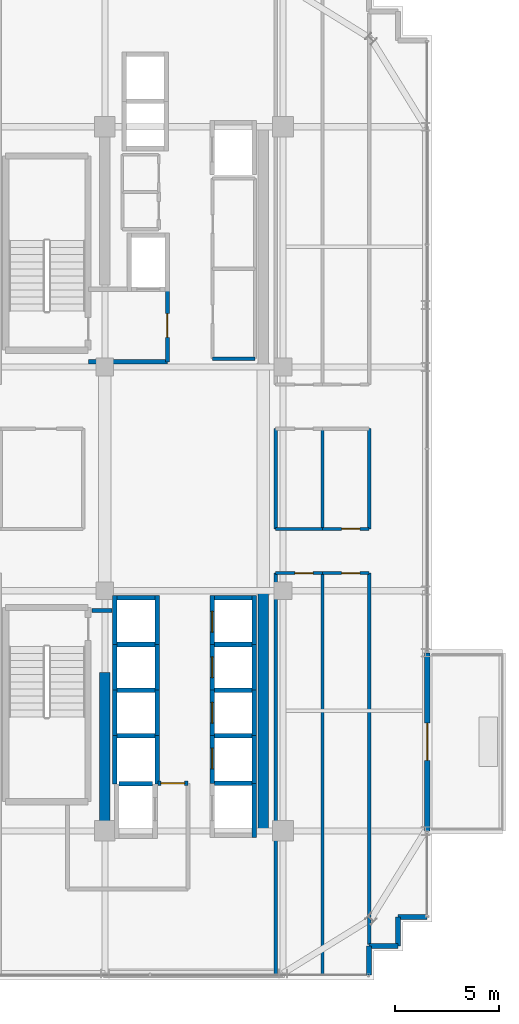
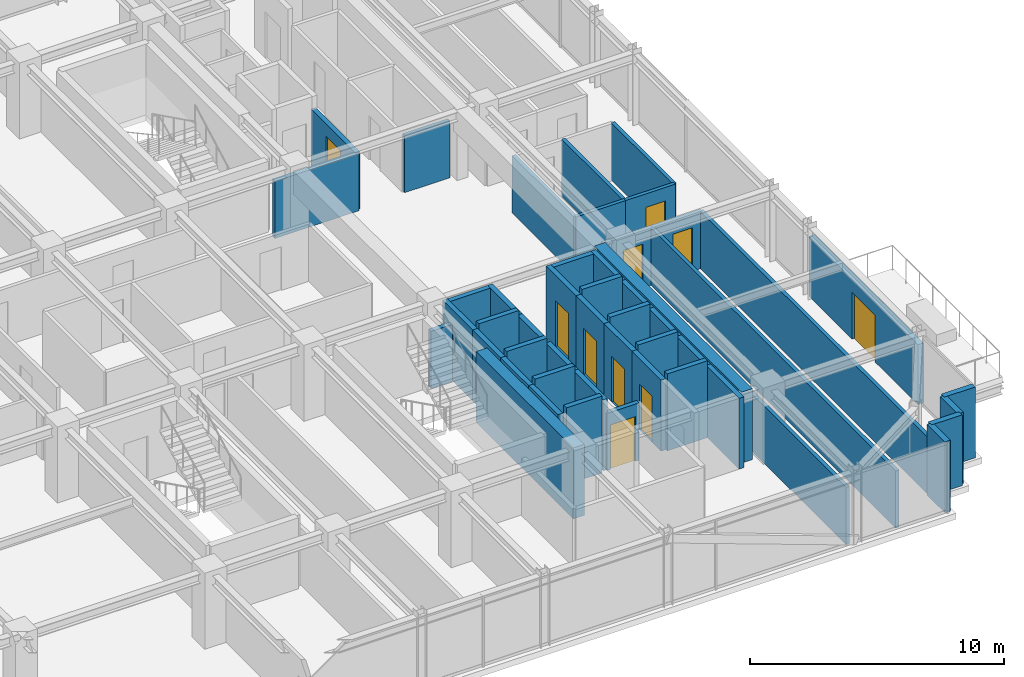
# One storey, part 31 of 36: 49 walls, 10 doors, 10 openings.
"""IFC4 building model written with IfcOpenShell, lengths in metres."""

from ifc_helpers import new_model, si_unit, direction, frame, frame_2d, origin, place, context, subcontext, project, spatial, rectangle, extrude, source, transform, mapped, material, layer, layer_set, type_object, element, fill, save


model = new_model("IFC4")

# Units and contexts
model_context = context("Model", 3, precision=1e-05, world=origin(), true_north=direction((0.0, 1.0)))
body_context = subcontext(model_context, "Body", "Model", "MODEL_VIEW")
ifc_project = project(units=[si_unit("LENGTHUNIT", "METRE"), si_unit("AREAUNIT", "SQUARE_METRE"), si_unit("VOLUMEUNIT", "CUBIC_METRE"), si_unit("PLANEANGLEUNIT", "RADIAN"), si_unit("MASSUNIT", "GRAM", prefix="KILO")], contexts=[model_context])

# Site, building, storey
site_placement = place(None, origin())
site = spatial("IfcSite", under=ifc_project, at=site_placement, CompositionType="ELEMENT")
building_placement = place(site_placement, origin())
building = spatial("IfcBuilding", under=site, at=building_placement, Name="Nahalor Promenade Grand Hotel", CompositionType="ELEMENT")
storey_placement = place(building_placement, frame((0.0, 0.0, 219.699951171875)))
storey = spatial("IfcBuildingStorey", under=building, at=storey_placement, Name="L56", CompositionType="ELEMENT", Elevation=219.699951171875)

# Walls
ifc_material_1 = material(Name="Concrete B-60 (C50/60)", Category="concrete")
ifc_layer_1 = layer(ifc_material_1, 0.5)
ifc_layer_set_1 = layer_set([ifc_layer_1], Name="Concrete B-60 (C50/60)")
wall_type_1 = type_object("IfcWallType", Name="Wall-CoreShear-500", PredefinedType="SHEAR", material=ifc_layer_set_1)
shared_shape_1 = source(origin(), body_context, "Body", "SweptSolid", [
    extrude(rectangle(XDim=7.64990234375, YDim=0.5, at=frame_2d((3.824951171875, 0.0))), origin(), (0.0, 0.0, 1.0), 3.41015625),
])
wall_1_placement = place(storey_placement, frame((8.39990234375, -17.0, 0.0), z_axis=(0.0, 0.0, 1.0), x_axis=(0.0, 1.0, 0.0)))
element("IfcWall", 1, at=wall_1_placement, inside=storey, type_object=wall_type_1, Name="CWALL-L56-SW", PredefinedType="SHEAR", context=body_context, shape_type="MappedRepresentation", body=[
    mapped(shared_shape_1, transform((0.0, 0.0, 0.0), scale=1.0)),
])
shared_shape_2 = source(origin(), body_context, "Body", "SweptSolid", [
    extrude(rectangle(XDim=11.60009765625, YDim=0.5, at=frame_2d((5.800048828125, 0.0))), origin(), (0.0, 0.0, 1.0), 3.41015625),
])
wall_2_placement = place(storey_placement, frame((16.050048828125, -17.0, 0.0), z_axis=(0.0, 0.0, 1.0), x_axis=(0.0, 1.0, 0.0)))
element("IfcWall", 2, at=wall_2_placement, inside=storey, type_object=wall_type_1, Name="CWALL-L56-SE", PredefinedType="SHEAR", context=body_context, shape_type="MappedRepresentation", body=[
    mapped(shared_shape_2, transform((0.0, 0.0, 0.0), scale=1.0)),
])

# Wall, opening, door
ifc_material_2 = material(Name="Concrete B-50 (C40/50)", Category="concrete")
ifc_layer_2 = layer(ifc_material_2, 0.219970703125)
ifc_layer_set_2 = layer_set([ifc_layer_2], Name="Concrete B-50 (C40/50)")
wall_type_2 = type_object("IfcWallType", Name="Wall-LiftShaft-220", PredefinedType="SHEAR", material=ifc_layer_set_2)
shared_shape_3 = source(origin(), body_context, "Body", "SweptSolid", [
    extrude(rectangle(XDim=2.360107421875, YDim=0.219970703125, at=frame_2d((1.18017578125, 0.0))), origin(), (0.0, 0.0, 1.0), 3.41015625),
])
wall_3_placement = place(storey_placement, frame((13.580078125, -8.0, 0.0), z_axis=(0.0, 0.0, 1.0), x_axis=(0.0, 1.0, 0.0)))
wall_3 = element("IfcWall", 3, at=wall_3_placement, inside=storey, type_object=wall_type_2, Name="L56 Lift PL5 Hoistway Wall W", PredefinedType="SHEAR", context=body_context, shape_type="MappedRepresentation", body=[
    mapped(shared_shape_3, transform((0.0, 0.0, 0.0), scale=1.0)),
])
opening_1_placement = place(wall_3_placement, frame((0.60009765625, 0.0, 0.0)))
opening_1 = element("IfcOpeningElement", 4, at=opening_1_placement, cuts=wall_3, Name="Opening LD-01", PredefinedType="OPENING", context=body_context, shape_type="SweptSolid", body=[
    extrude(rectangle(XDim=1.0, YDim=2.199951171875, at=frame_2d((0.5, 1.10009765625))), frame((0.0, 0.119873046875, 0.0), z_axis=(0.0, -1.0, 0.0), x_axis=(1.0, 0.0, 0.0)), (0.0, 0.0, 1.0), 0.239990234375),
])
ifc_material_3 = material(Name="Steel S355JR", Category="steel")
door_type_1 = type_object("IfcDoorType", Name="Door-LiftLanding-1000", OperationType="DOUBLE_DOOR_SLIDING", PredefinedType="DOOR", material=ifc_material_3)
shared_shape_4 = source(origin(), body_context, "Body", "SweptSolid", [
    extrude(rectangle(XDim=1.0, YDim=2.199951171875, at=frame_2d((0.5, 1.10009765625))), frame((0.0, 0.02490234375, 0.0), z_axis=(0.0, -1.0, 0.0), x_axis=(1.0, 0.0, 0.0)), (0.0, 0.0, 1.0), 0.050048828125),
])
door_1_placement = place(opening_1_placement, origin())
door_1 = element("IfcDoor", 5, at=door_1_placement, inside=storey, type_object=door_type_1, Name="DR-LIFT-PL5-L56", OperationType="DOUBLE_DOOR_SLIDING", OverallHeight=2.199951171875, OverallWidth=1.0, PredefinedType="DOOR", context=body_context, shape_type="MappedRepresentation", body=[
    mapped(shared_shape_4, transform((0.0, 0.0, 0.0), scale=1.0)),
])
fill(opening_1, door_1)

# Walls
for number, where, z_axis, x_axis, name in (
    (6, (15.6201171875, -8.0, 0.0), (0.0, 0.0, 1.0), (0.0, 1.0, 0.0), "L56 Lift PL5 Hoistway Wall E"),
    (7, (8.8798828125, -8.0, 0.0), (0.0, 0.0, 1.0), (0.0, 1.0, 0.0), "L56 Lift PL9 Hoistway Wall W"),
    (8, (10.919921875, -8.0, 0.0), (0.0, 0.0, 1.0), (0.0, 1.0, 0.0), "L56 Lift PL9 Hoistway Wall E"),
):
    element("IfcWall", number, at=place(storey_placement, frame(where, z_axis=z_axis, x_axis=x_axis)), inside=storey, type_object=wall_type_2, Name=name, PredefinedType="SHEAR", context=body_context, shape_type="MappedRepresentation", body=[
        mapped(shared_shape_3, transform((0.0, 0.0, 0.0), scale=1.0)),
    ])
shared_shape_5 = source(origin(), body_context, "Body", "SweptSolid", [
    extrude(rectangle(XDim=1.820068359375, YDim=0.219970703125, at=frame_2d((0.91015625, 0.0))), origin(), (0.0, 0.0, 1.0), 3.41015625),
])
for number, where, z_axis, x_axis, name in (
    (9, (13.68994140625, -5.75, 0.0), (0.0, 0.0, 1.0), (1.0, 0.0, 0.0), "L56 Lift PL5 Hoistway Wall N"),
    (10, (8.989990234375, -5.75, 0.0), (0.0, 0.0, 1.0), (1.0, 0.0, 0.0), "L56 Lift PL9 Hoistway Wall N"),
):
    element("IfcWall", number, at=place(storey_placement, frame(where, z_axis=z_axis, x_axis=x_axis)), inside=storey, type_object=wall_type_2, Name=name, PredefinedType="SHEAR", context=body_context, shape_type="MappedRepresentation", body=[
        mapped(shared_shape_5, transform((0.0, 0.0, 0.0), scale=1.0)),
    ])

# Wall, opening, door
shared_shape_6 = source(origin(), body_context, "Body", "SweptSolid", [
    extrude(rectangle(XDim=2.199951171875, YDim=0.219970703125, at=frame_2d((1.10009765625, 0.0))), origin(), (0.0, 0.0, 1.0), 3.41015625),
])
wall_4_placement = place(storey_placement, frame((13.580078125, -10.199951171875, 0.0), z_axis=(0.0, 0.0, 1.0), x_axis=(0.0, 1.0, 0.0)))
wall_4 = element("IfcWall", 11, at=wall_4_placement, inside=storey, type_object=wall_type_2, Name="L56 Lift PL6 Hoistway Wall W", PredefinedType="SHEAR", context=body_context, shape_type="MappedRepresentation", body=[
    mapped(shared_shape_6, transform((0.0, 0.0, 0.0), scale=1.0)),
])
opening_2_placement = place(wall_4_placement, frame((0.60009765625, 0.0, 0.0)))
opening_2 = element("IfcOpeningElement", 12, at=opening_2_placement, cuts=wall_4, Name="Opening LD-01", PredefinedType="OPENING", context=body_context, shape_type="SweptSolid", body=[
    extrude(rectangle(XDim=1.0, YDim=2.199951171875, at=frame_2d((0.5, 1.10009765625))), frame((0.0, 0.119873046875, 0.0), z_axis=(0.0, -1.0, 0.0), x_axis=(1.0, 0.0, 0.0)), (0.0, 0.0, 1.0), 0.239990234375),
])
door_2_placement = place(opening_2_placement, origin())
door_2 = element("IfcDoor", 13, at=door_2_placement, inside=storey, type_object=door_type_1, Name="DR-LIFT-PL6-L56", OperationType="DOUBLE_DOOR_SLIDING", OverallHeight=2.199951171875, OverallWidth=1.0, PredefinedType="DOOR", context=body_context, shape_type="MappedRepresentation", body=[
    mapped(shared_shape_4, transform((0.0, 0.0, 0.0), scale=1.0)),
])
fill(opening_2, door_2)

# Wall
wall_5_placement = place(storey_placement, frame((15.6201171875, -10.199951171875, 0.0), z_axis=(0.0, 0.0, 1.0), x_axis=(0.0, 1.0, 0.0)))
element("IfcWall", 14, at=wall_5_placement, inside=storey, type_object=wall_type_2, Name="L56 Lift PL6 Hoistway Wall E", PredefinedType="SHEAR", context=body_context, shape_type="MappedRepresentation", body=[
    mapped(shared_shape_6, transform((0.0, 0.0, 0.0), scale=1.0)),
])

# Wall, opening, door
wall_6_placement = place(storey_placement, frame((13.580078125, -12.39990234375, 0.0), z_axis=(0.0, 0.0, 1.0), x_axis=(0.0, 1.0, 0.0)))
wall_6 = element("IfcWall", 15, at=wall_6_placement, inside=storey, type_object=wall_type_2, Name="L56 Lift PL7 Hoistway Wall W", PredefinedType="SHEAR", context=body_context, shape_type="MappedRepresentation", body=[
    mapped(shared_shape_6, transform((0.0, 0.0, 0.0), scale=1.0)),
])
opening_3_placement = place(wall_6_placement, frame((0.60009765625, 0.0, 0.0)))
opening_3 = element("IfcOpeningElement", 16, at=opening_3_placement, cuts=wall_6, Name="Opening LD-01", PredefinedType="OPENING", context=body_context, shape_type="SweptSolid", body=[
    extrude(rectangle(XDim=1.0, YDim=2.199951171875, at=frame_2d((0.5, 1.10009765625))), frame((0.0, 0.119873046875, 0.0), z_axis=(0.0, -1.0, 0.0), x_axis=(1.0, 0.0, 0.0)), (0.0, 0.0, 1.0), 0.239990234375),
])
door_3_placement = place(opening_3_placement, origin())
door_3 = element("IfcDoor", 17, at=door_3_placement, inside=storey, type_object=door_type_1, Name="DR-LIFT-PL7-L56", OperationType="DOUBLE_DOOR_SLIDING", OverallHeight=2.199951171875, OverallWidth=1.0, PredefinedType="DOOR", context=body_context, shape_type="MappedRepresentation", body=[
    mapped(shared_shape_4, transform((0.0, 0.0, 0.0), scale=1.0)),
])
fill(opening_3, door_3)

# Walls
for number, where, z_axis, x_axis, name in (
    (18, (15.6201171875, -12.39990234375, 0.0), (0.0, 0.0, 1.0), (0.0, 1.0, 0.0), "L56 Lift PL7 Hoistway Wall E"),
    (19, (8.8798828125, -10.199951171875, 0.0), (0.0, 0.0, 1.0), (0.0, 1.0, 0.0), "L56 Lift PL10 Hoistway Wall W"),
    (20, (10.919921875, -10.199951171875, 0.0), (0.0, 0.0, 1.0), (0.0, 1.0, 0.0), "L56 Lift PL10 Hoistway Wall E"),
    (21, (8.8798828125, -12.39990234375, 0.0), (0.0, 0.0, 1.0), (0.0, 1.0, 0.0), "L56 Lift PL11 Hoistway Wall W"),
    (22, (10.919921875, -12.39990234375, 0.0), (0.0, 0.0, 1.0), (0.0, 1.0, 0.0), "L56 Lift PL11 Hoistway Wall E"),
):
    element("IfcWall", number, at=place(storey_placement, frame(where, z_axis=z_axis, x_axis=x_axis)), inside=storey, type_object=wall_type_2, Name=name, PredefinedType="SHEAR", context=body_context, shape_type="MappedRepresentation", body=[
        mapped(shared_shape_6, transform((0.0, 0.0, 0.0), scale=1.0)),
    ])
shared_shape_7 = source(origin(), body_context, "Body", "SweptSolid", [
    extrude(rectangle(XDim=1.820068359375, YDim=0.219970703125, at=frame_2d((0.91015625, 0.0))), origin(), (0.0, 0.0, 1.0), 3.699951171875),
])
for number, where, z_axis, x_axis, name in (
    (23, (13.68994140625, -8.0, 0.0), (0.0, 0.0, 1.0), (1.0, 0.0, 0.0), "L56 Lift PL6 Hoistway Wall N"),
    (24, (13.68994140625, -10.199951171875, 0.0), (0.0, 0.0, 1.0), (1.0, 0.0, 0.0), "L56 Lift PL7 Hoistway Wall N"),
    (25, (13.68994140625, -12.39990234375, 0.0), (0.0, 0.0, 1.0), (1.0, 0.0, 0.0), "L56 Lift PL8 Hoistway Wall N"),
    (26, (8.989990234375, -8.0, 0.0), (0.0, 0.0, 1.0), (1.0, 0.0, 0.0), "L56 Lift PL10 Hoistway Wall N"),
    (27, (8.989990234375, -10.199951171875, 0.0), (0.0, 0.0, 1.0), (1.0, 0.0, 0.0), "L56 Lift PL11 Hoistway Wall N"),
    (28, (8.989990234375, -12.39990234375, 0.0), (0.0, 0.0, 1.0), (1.0, 0.0, 0.0), "L56 Lift PL12 Hoistway Wall N"),
    (29, (13.68994140625, -14.699951171875, 0.0), (0.0, 0.0, 1.0), (1.0, 0.0, 0.0), "L56 Lift SV2 Hoistway Wall N"),
):
    element("IfcWall", number, at=place(storey_placement, frame(where, z_axis=z_axis, x_axis=x_axis)), inside=storey, type_object=wall_type_2, Name=name, PredefinedType="SHEAR", context=body_context, shape_type="MappedRepresentation", body=[
        mapped(shared_shape_7, transform((0.0, 0.0, 0.0), scale=1.0)),
    ])

# Wall, opening, door
shared_shape_8 = source(origin(), body_context, "Body", "SweptSolid", [
    extrude(rectangle(XDim=2.300048828125, YDim=0.219970703125, at=frame_2d((1.14990234375, 0.0))), origin(), (0.0, 0.0, 1.0), 3.41015625),
])
wall_7_placement = place(storey_placement, frame((13.580078125, -14.699951171875, 0.0), z_axis=(0.0, 0.0, 1.0), x_axis=(0.0, 1.0, 0.0)))
wall_7 = element("IfcWall", 30, at=wall_7_placement, inside=storey, type_object=wall_type_2, Name="L56 Lift PL8 Hoistway Wall W", PredefinedType="SHEAR", context=body_context, shape_type="MappedRepresentation", body=[
    mapped(shared_shape_8, transform((0.0, 0.0, 0.0), scale=1.0)),
])
opening_4_placement = place(wall_7_placement, frame((0.699951171875, 0.0, 0.0)))
opening_4 = element("IfcOpeningElement", 31, at=opening_4_placement, cuts=wall_7, Name="Opening LD-01", PredefinedType="OPENING", context=body_context, shape_type="SweptSolid", body=[
    extrude(rectangle(XDim=1.0, YDim=2.199951171875, at=frame_2d((0.5, 1.10009765625))), frame((0.0, 0.119873046875, 0.0), z_axis=(0.0, -1.0, 0.0), x_axis=(1.0, 0.0, 0.0)), (0.0, 0.0, 1.0), 0.239990234375),
])
door_4_placement = place(opening_4_placement, origin())
door_4 = element("IfcDoor", 32, at=door_4_placement, inside=storey, type_object=door_type_1, Name="DR-LIFT-PL8-L56", OperationType="DOUBLE_DOOR_SLIDING", OverallHeight=2.199951171875, OverallWidth=1.0, PredefinedType="DOOR", context=body_context, shape_type="MappedRepresentation", body=[
    mapped(shared_shape_4, transform((0.0, 0.0, 0.0), scale=1.0)),
])
fill(opening_4, door_4)

# Walls
wall_8_placement = place(storey_placement, frame((15.6201171875, -14.699951171875, 0.0), z_axis=(0.0, 0.0, 1.0), x_axis=(0.0, 1.0, 0.0)))
element("IfcWall", 33, at=wall_8_placement, inside=storey, type_object=wall_type_2, Name="L56 Lift PL8 Hoistway Wall E", PredefinedType="SHEAR", context=body_context, shape_type="MappedRepresentation", body=[
    mapped(shared_shape_8, transform((0.0, 0.0, 0.0), scale=1.0)),
])
shared_shape_9 = source(origin(), body_context, "Body", "SweptSolid", [
    extrude(rectangle(XDim=2.3251953125, YDim=0.219970703125, at=frame_2d((1.16259765625, 0.0))), origin(), (0.0, 0.0, 1.0), 3.41015625),
])
for number, where, z_axis, x_axis, name in (
    (34, (8.8798828125, -14.72509765625, 0.0), (0.0, 0.0, 1.0), (0.0, 1.0, 0.0), "L56 Lift PL12 Hoistway Wall W"),
    (35, (10.919921875, -14.72509765625, 0.0), (0.0, 0.0, 1.0), (0.0, 1.0, 0.0), "L56 Lift PL12 Hoistway Wall E"),
):
    element("IfcWall", number, at=place(storey_placement, frame(where, z_axis=z_axis, x_axis=x_axis)), inside=storey, type_object=wall_type_2, Name=name, PredefinedType="SHEAR", context=body_context, shape_type="MappedRepresentation", body=[
        mapped(shared_shape_9, transform((0.0, 0.0, 0.0), scale=1.0)),
    ])
shared_shape_10 = source(origin(), body_context, "Body", "SweptSolid", [
    extrude(rectangle(XDim=1.619873046875, YDim=0.219970703125, at=frame_2d((0.81005859375, 0.0))), origin(), (0.0, 0.0, 1.0), 3.699951171875),
])
wall_9_placement = place(storey_placement, frame((9.090087890625, -14.72509765625, 0.0), z_axis=(0.0, 0.0, 1.0), x_axis=(1.0, 0.0, 0.0)))
element("IfcWall", 36, at=wall_9_placement, inside=storey, type_object=wall_type_2, Name="L56 Lift FL2 Hoistway Wall N", PredefinedType="SHEAR", context=body_context, shape_type="MappedRepresentation", body=[
    mapped(shared_shape_10, transform((0.0, 0.0, 0.0), scale=1.0)),
])
shared_shape_11 = source(origin(), body_context, "Body", "SweptSolid", [
    extrude(rectangle(XDim=2.610107421875, YDim=0.219970703125, at=frame_2d((1.30517578125, 0.0))), origin(), (0.0, 0.0, 1.0), 3.41015625),
])
wall_10_placement = place(storey_placement, frame((15.6201171875, -17.31005859375, 0.0), z_axis=(0.0, 0.0, 1.0), x_axis=(0.0, 1.0, 0.0)))
element("IfcWall", 37, at=wall_10_placement, inside=storey, type_object=wall_type_2, Name="L56 Lift SV2 Hoistway Wall E", PredefinedType="SHEAR", context=body_context, shape_type="MappedRepresentation", body=[
    mapped(shared_shape_11, transform((0.0, 0.0, 0.0), scale=1.0)),
])
ifc_material_4 = material(Name="Concrete B-40 (C32/40)", Category="concrete")
ifc_layer_3 = layer(ifc_material_4, 0.25)
ifc_layer_set_3 = layer_set([ifc_layer_3], Name="Concrete B-40 (C32/40)")
wall_type_3 = type_object("IfcWallType", Name="Wall-BronzePier-250", PredefinedType="STANDARD", material=ifc_layer_set_3)
shared_shape_12 = source(origin(), body_context, "Body", "SweptSolid", [
    extrude(rectangle(XDim=1.39990234375, YDim=0.25, at=frame_2d((0.699951171875, 0.0))), origin(), (0.0, 0.0, 1.0), 3.41015625),
])
for number, where, z_axis, x_axis, name in (
    (38, (21.159912109375, -23.9599609375, 0.0), (0.0, 0.0, 1.0), (0.0, 1.0, 0.0), "W-L56-SR-01"),
    (39, (22.56005859375, -21.159912109375, 0.0), (0.0, 0.0, 1.0), (1.0, 0.0, 0.0), "W-L56-SR-04"),
):
    element("IfcWall", number, at=place(storey_placement, frame(where, z_axis=z_axis, x_axis=x_axis)), inside=storey, type_object=wall_type_3, Name=name, PredefinedType="STANDARD", context=body_context, shape_type="MappedRepresentation", body=[
        mapped(shared_shape_12, transform((0.0, 0.0, 0.0), scale=1.0)),
    ])
shared_shape_13 = source(origin(), body_context, "Body", "SweptSolid", [
    extrude(rectangle(XDim=1.400146484375, YDim=0.25, at=frame_2d((0.7001953125, 0.0))), origin(), (0.0, 0.0, 1.0), 3.41015625),
])
for number, where, z_axis, x_axis, name in (
    (40, (21.159912109375, -22.56005859375, 0.0), (0.0, 0.0, 1.0), (1.0, 0.0, 0.0), "W-L56-SR-02"),
    (41, (22.56005859375, -22.56005859375, 0.0), (0.0, 0.0, 1.0), (0.0, 1.0, 0.0), "W-L56-SR-03"),
):
    element("IfcWall", number, at=place(storey_placement, frame(where, z_axis=z_axis, x_axis=x_axis)), inside=storey, type_object=wall_type_3, Name=name, PredefinedType="STANDARD", context=body_context, shape_type="MappedRepresentation", body=[
        mapped(shared_shape_13, transform((0.0, 0.0, 0.0), scale=1.0)),
    ])

# Wall, opening, door
ifc_layer_4 = layer(ifc_material_4, 0.260009765625)
ifc_layer_set_4 = layer_set([ifc_layer_4], Name="Concrete B-40 (C32/40)")
wall_type_4 = type_object("IfcWallType", Name="Wall-BalconyWall-260", PredefinedType="STANDARD", material=ifc_layer_set_4)
shared_shape_14 = source(origin(), body_context, "Body", "SweptSolid", [
    extrude(rectangle(XDim=8.60009765625, YDim=0.260009765625, at=frame_2d((4.300048828125, 0.0))), origin(), (0.0, 0.0, 1.0), 2.89013671875),
])
wall_11_placement = place(storey_placement, frame((23.9599609375, -17.0, 0.0), z_axis=(0.0, 0.0, 1.0), x_axis=(0.0, 1.0, 0.0)))
wall_11 = element("IfcWall", 42, at=wall_11_placement, inside=storey, type_object=wall_type_4, Name="W-L56-BALC-E-2", PredefinedType="STANDARD", context=body_context, shape_type="MappedRepresentation", body=[
    mapped(shared_shape_14, transform((0.0, 0.0, 0.0), scale=1.0)),
])
opening_5_placement = place(wall_11_placement, frame((3.39990234375, 0.0, 0.0)))
opening_5 = element("IfcOpeningElement", 43, at=opening_5_placement, cuts=wall_11, Name="Opening D-BC1", PredefinedType="OPENING", context=body_context, shape_type="SweptSolid", body=[
    extrude(rectangle(XDim=1.800048828125, YDim=2.25, at=frame_2d((0.89990234375, 1.125))), frame((0.0, 0.139892578125, 0.0), z_axis=(0.0, -1.0, 0.0), x_axis=(1.0, 0.0, 0.0)), (0.0, 0.0, 1.0), 0.280029296875),
])
ifc_material_5 = material(Name="Anodised Bronze Aluminium EN AW-6063 T6", Category="aluminium")
door_type_2 = type_object("IfcDoorType", Name="Door-BalconySlide-1800", OperationType="DOUBLE_DOOR_SLIDING", PredefinedType="DOOR", material=ifc_material_5)
shared_shape_15 = source(origin(), body_context, "Body", "SweptSolid", [
    extrude(rectangle(XDim=1.800048828125, YDim=2.25, at=frame_2d((0.89990234375, 1.125))), frame((0.0, 0.02490234375, 0.0), z_axis=(0.0, -1.0, 0.0), x_axis=(1.0, 0.0, 0.0)), (0.0, 0.0, 1.0), 0.050048828125),
])
door_5_placement = place(opening_5_placement, frame((1.800048828125, 0.0, 0.0), z_axis=(0.0, 0.0, 1.0), x_axis=(-1.0, 0.0, 0.0)))
door_5 = element("IfcDoor", 44, at=door_5_placement, inside=storey, type_object=door_type_2, Name="DR-L56-BALC-E-2", OperationType="DOUBLE_DOOR_SLIDING", OverallHeight=2.25, OverallWidth=1.800048828125, PredefinedType="DOOR", context=body_context, shape_type="MappedRepresentation", body=[
    mapped(shared_shape_15, transform((0.0, 0.0, 0.0), scale=1.0)),
])
fill(opening_5, door_5)

# Wall
ifc_layer_5 = layer(ifc_material_4, 0.199951171875)
ifc_layer_set_5 = layer_set([ifc_layer_5], Name="Concrete B-40 (C32/40)")
wall_type_5 = type_object("IfcWallType", Name="Wall-PartFire-200", PredefinedType="PARTITIONING", material=ifc_layer_set_5)
shared_shape_16 = source(origin(), body_context, "Body", "SweptSolid", [
    extrude(rectangle(XDim=3.81982421875, YDim=0.199951171875, at=frame_2d((1.909912109375, 0.0))), origin(), (0.0, 0.0, 1.0), 2.75),
])
wall_12_placement = place(storey_placement, frame((7.60009765625, 5.64990234375, 0.0), z_axis=(0.0, 0.0, 1.0), x_axis=(1.0, 0.0, 0.0)))
element("IfcWall", 45, at=wall_12_placement, inside=storey, type_object=wall_type_5, Name="W-L56-FF1-S", PredefinedType="PARTITIONING", context=body_context, shape_type="MappedRepresentation", body=[
    mapped(shared_shape_16, transform((0.0, 0.0, 0.0), scale=1.0)),
])

# Wall, opening, door
shared_shape_17 = source(origin(), body_context, "Body", "SweptSolid", [
    extrude(rectangle(XDim=3.5, YDim=0.199951171875, at=frame_2d((1.75, 0.0))), origin(), (0.0, 0.0, 1.0), 2.75),
])
wall_13_placement = place(storey_placement, frame((11.419921875, 5.64990234375, 0.0), z_axis=(0.0, 0.0, 1.0), x_axis=(0.0, 1.0, 0.0)))
wall_13 = element("IfcWall", 46, at=wall_13_placement, inside=storey, type_object=wall_type_5, Name="W-L56-FF1-E", PredefinedType="PARTITIONING", context=body_context, shape_type="MappedRepresentation", body=[
    mapped(shared_shape_17, transform((0.0, 0.0, 0.0), scale=1.0)),
])
opening_6_placement = place(wall_13_placement, frame((1.175048828125, 0.0, 0.0)))
opening_6 = element("IfcOpeningElement", 47, at=opening_6_placement, cuts=wall_13, Name="Opening D-FF1", PredefinedType="OPENING", context=body_context, shape_type="SweptSolid", body=[
    extrude(rectangle(XDim=1.14990234375, YDim=2.14990234375, at=frame_2d((0.574951171875, 1.074951171875))), frame((0.0, 0.10986328125, 0.0), z_axis=(0.0, -1.0, 0.0), x_axis=(1.0, 0.0, 0.0)), (0.0, 0.0, 1.0), 0.219970703125),
])
door_type_3 = type_object("IfcDoorType", Name="Door-FFLobby-1150", OperationType="NOTDEFINED", PredefinedType="DOOR", material=ifc_material_3)
shared_shape_18 = source(origin(), body_context, "Body", "SweptSolid", [
    extrude(rectangle(XDim=1.14990234375, YDim=2.14990234375, at=frame_2d((0.574951171875, 1.074951171875))), frame((0.0, 0.02490234375, 0.0), z_axis=(0.0, -1.0, 0.0), x_axis=(1.0, 0.0, 0.0)), (0.0, 0.0, 1.0), 0.050048828125),
])
door_6_placement = place(opening_6_placement, frame((1.14990234375, 0.0, 0.0), z_axis=(0.0, 0.0, 1.0), x_axis=(-1.0, 0.0, 0.0)))
door_6 = element("IfcDoor", 48, at=door_6_placement, inside=storey, type_object=door_type_3, Name="DR-L56-FFL1", OperationType="SINGLE_SWING_LEFT", OverallHeight=2.14990234375, OverallWidth=1.14990234375, PredefinedType="DOOR", context=body_context, shape_type="MappedRepresentation", body=[
    mapped(shared_shape_18, transform((0.0, 0.0, 0.0), scale=1.0)),
])
fill(opening_6, door_6)

shared_shape_19 = source(origin(), body_context, "Body", "SweptSolid", [
    extrude(rectangle(XDim=1.4599609375, YDim=0.199951171875, at=frame_2d((0.72998046875, 0.0))), origin(), (0.0, 0.0, 1.0), 2.75),
])
wall_14_placement = place(storey_placement, frame((10.9599609375, -14.699951171875, 0.0), z_axis=(0.0, 0.0, 1.0), x_axis=(1.0, 0.0, 0.0)))
wall_14 = element("IfcWall", 49, at=wall_14_placement, inside=storey, type_object=wall_type_5, Name="W-L56-FF2-N1", PredefinedType="PARTITIONING", context=body_context, shape_type="MappedRepresentation", body=[
    mapped(shared_shape_19, transform((0.0, 0.0, 0.0), scale=1.0)),
])
opening_7_placement = place(wall_14_placement, frame((0.14501953125, 0.0, 0.0)))
opening_7 = element("IfcOpeningElement", 50, at=opening_7_placement, cuts=wall_14, Name="Opening D-FF1", PredefinedType="OPENING", context=body_context, shape_type="SweptSolid", body=[
    extrude(rectangle(XDim=1.14990234375, YDim=2.14990234375, at=frame_2d((0.574951171875, 1.074951171875))), frame((0.0, 0.10986328125, 0.0), z_axis=(0.0, -1.0, 0.0), x_axis=(1.0, 0.0, 0.0)), (0.0, 0.0, 1.0), 0.219970703125),
])
door_7_placement = place(opening_7_placement, origin())
door_7 = element("IfcDoor", 51, at=door_7_placement, inside=storey, type_object=door_type_3, Name="DR-L56-FFL2", OperationType="SINGLE_SWING_RIGHT", OverallHeight=2.14990234375, OverallWidth=1.14990234375, PredefinedType="DOOR", context=body_context, shape_type="MappedRepresentation", body=[
    mapped(shared_shape_18, transform((0.0, 0.0, 0.0), scale=1.0)),
])
fill(opening_7, door_7)

# Walls
shared_shape_20 = source(origin(), body_context, "Body", "SweptSolid", [
    extrude(rectangle(XDim=0.969970703125, YDim=0.199951171875, at=frame_2d((0.48486328125, 0.0))), origin(), (0.0, 0.0, 1.0), 2.75),
])
wall_15_placement = place(storey_placement, frame((7.77001953125, -6.35009765625, 0.0), z_axis=(0.0, 0.0, 1.0), x_axis=(1.0, 0.0, 0.0)))
element("IfcWall", 52, at=wall_15_placement, inside=storey, type_object=wall_type_5, Name="W-L56-FF2-N2", PredefinedType="PARTITIONING", context=body_context, shape_type="MappedRepresentation", body=[
    mapped(shared_shape_20, transform((0.0, 0.0, 0.0), scale=1.0)),
])
ifc_material_6 = material(Name="Acoustic Mineral Gypsum", Category="gypsum")
ifc_layer_6 = layer(ifc_material_6, 0.159912109375)
ifc_layer_set_6 = layer_set([ifc_layer_6], Name="Acoustic Mineral Gypsum")
wall_type_6 = type_object("IfcWallType", Name="Wall-PartCorridor-160", PredefinedType="PARTITIONING", material=ifc_layer_set_6)
shared_shape_21 = source(origin(), body_context, "Body", "SweptSolid", [
    extrude(rectangle(XDim=2.0498046875, YDim=0.159912109375, at=frame_2d((1.02490234375, 0.0))), origin(), (0.0, 0.0, 1.0), 2.75),
])
wall_16_placement = place(storey_placement, frame((13.60009765625, 5.800048828125, 0.0), z_axis=(0.0, 0.0, 1.0), x_axis=(1.0, 0.0, 0.0)))
element("IfcWall", 53, at=wall_16_placement, inside=storey, type_object=wall_type_6, Name="W-L56-FRB1A-S", PredefinedType="PARTITIONING", context=body_context, shape_type="MappedRepresentation", body=[
    mapped(shared_shape_21, transform((0.0, 0.0, 0.0), scale=1.0)),
])

# Wall, opening, door
shared_shape_22 = source(origin(), body_context, "Body", "SweptSolid", [
    extrude(rectangle(XDim=2.255126953125, YDim=0.159912109375, at=frame_2d((1.12744140625, 0.0))), origin(), (0.0, 0.0, 1.0), 2.75),
])
wall_17_placement = place(storey_placement, frame((16.64990234375, -4.550048828125, 0.0), z_axis=(0.0, 0.0, 1.0), x_axis=(1.0, 0.0, 0.0)))
wall_17 = element("IfcWall", 54, at=wall_17_placement, inside=storey, type_object=wall_type_6, Name="W-L56-ESE1-N", PredefinedType="PARTITIONING", context=body_context, shape_type="MappedRepresentation", body=[
    mapped(shared_shape_22, transform((0.0, 0.0, 0.0), scale=1.0)),
])
opening_8_placement = place(wall_17_placement, frame((0.924072265625, 0.0, 0.0)))
opening_8 = element("IfcOpeningElement", 55, at=opening_8_placement, cuts=wall_17, Name="Opening D-03", PredefinedType="OPENING", context=body_context, shape_type="SweptSolid", body=[
    extrude(rectangle(XDim=0.8798828125, YDim=2.10009765625, at=frame_2d((0.43994140625, 1.050048828125))), frame((0.0, 0.08984375, 0.0), z_axis=(0.0, -1.0, 0.0), x_axis=(1.0, 0.0, 0.0)), (0.0, 0.0, 1.0), 0.179931640625),
])
ifc_material_7 = material(Name="Fire-Rated Timber Composite", Category="wood")
door_type_4 = type_object("IfcDoorType", Name="Door-BathSwing-880", OperationType="NOTDEFINED", PredefinedType="DOOR", material=ifc_material_7)
shared_shape_23 = source(origin(), body_context, "Body", "SweptSolid", [
    extrude(rectangle(XDim=0.8798828125, YDim=2.10009765625, at=frame_2d((0.43994140625, 1.050048828125))), frame((0.0, 0.02490234375, 0.0), z_axis=(0.0, -1.0, 0.0), x_axis=(1.0, 0.0, 0.0)), (0.0, 0.0, 1.0), 0.050048828125),
])
door_8_placement = place(opening_8_placement, frame((0.8798828125, 0.0, 0.0), z_axis=(0.0, 0.0, 1.0), x_axis=(-1.0, 0.0, 0.0)))
door_8 = element("IfcDoor", 56, at=door_8_placement, inside=storey, type_object=door_type_4, Name="DR-L56-ESE1", OperationType="SINGLE_SWING_LEFT", OverallHeight=2.10009765625, OverallWidth=0.8798828125, PredefinedType="DOOR", context=body_context, shape_type="MappedRepresentation", body=[
    mapped(shared_shape_23, transform((0.0, 0.0, 0.0), scale=1.0)),
])
fill(opening_8, door_8)

# Walls
wall_18_placement = place(storey_placement, frame((16.64990234375, -2.419921875, 0.0), z_axis=(0.0, 0.0, 1.0), x_axis=(1.0, 0.0, 0.0)))
element("IfcWall", 57, at=wall_18_placement, inside=storey, type_object=wall_type_6, Name="W-L56-ECW1-S", PredefinedType="PARTITIONING", context=body_context, shape_type="MappedRepresentation", body=[
    mapped(shared_shape_22, transform((0.0, 0.0, 0.0), scale=1.0)),
])
shared_shape_24 = source(origin(), body_context, "Body", "SweptSolid", [
    extrude(rectangle(XDim=19.349853515625, YDim=0.159912109375, at=frame_2d((9.6748046875, 0.0))), origin(), (0.0, 0.0, 1.0), 2.75),
])
for number, where, z_axis, x_axis, name in (
    (58, (16.64990234375, -23.89990234375, 0.0), (0.0, 0.0, 1.0), (0.0, 1.0, 0.0), "W-L56-ESE1-W"),
    (59, (18.905029296875, -23.89990234375, 0.0), (0.0, 0.0, 1.0), (0.0, 1.0, 0.0), "W-L56-ESE1-E"),
):
    element("IfcWall", number, at=place(storey_placement, frame(where, z_axis=z_axis, x_axis=x_axis)), inside=storey, type_object=wall_type_6, Name=name, PredefinedType="PARTITIONING", context=body_context, shape_type="MappedRepresentation", body=[
        mapped(shared_shape_24, transform((0.0, 0.0, 0.0), scale=1.0)),
    ])

# Wall, opening, door
shared_shape_25 = source(origin(), body_context, "Body", "SweptSolid", [
    extrude(rectangle(XDim=2.2548828125, YDim=0.159912109375, at=frame_2d((1.12744140625, 0.0))), origin(), (0.0, 0.0, 1.0), 2.75),
])
wall_19_placement = place(storey_placement, frame((18.905029296875, -4.550048828125, 0.0), z_axis=(0.0, 0.0, 1.0), x_axis=(1.0, 0.0, 0.0)))
wall_19 = element("IfcWall", 60, at=wall_19_placement, inside=storey, type_object=wall_type_6, Name="W-L56-ESE2-N", PredefinedType="PARTITIONING", context=body_context, shape_type="MappedRepresentation", body=[
    mapped(shared_shape_25, transform((0.0, 0.0, 0.0), scale=1.0)),
])
opening_9_placement = place(wall_19_placement, frame((0.924072265625, 0.0, 0.0)))
opening_9 = element("IfcOpeningElement", 61, at=opening_9_placement, cuts=wall_19, Name="Opening D-03", PredefinedType="OPENING", context=body_context, shape_type="SweptSolid", body=[
    extrude(rectangle(XDim=0.8798828125, YDim=2.10009765625, at=frame_2d((0.43994140625, 1.050048828125))), frame((0.0, 0.08984375, 0.0), z_axis=(0.0, -1.0, 0.0), x_axis=(1.0, 0.0, 0.0)), (0.0, 0.0, 1.0), 0.179931640625),
])
door_9_placement = place(opening_9_placement, frame((0.8798828125, 0.0, 0.0), z_axis=(0.0, 0.0, 1.0), x_axis=(-1.0, 0.0, 0.0)))
door_9 = element("IfcDoor", 62, at=door_9_placement, inside=storey, type_object=door_type_4, Name="DR-L56-ESE2", OperationType="SINGLE_SWING_RIGHT", OverallHeight=2.10009765625, OverallWidth=0.8798828125, PredefinedType="DOOR", context=body_context, shape_type="MappedRepresentation", body=[
    mapped(shared_shape_23, transform((0.0, 0.0, 0.0), scale=1.0)),
])
fill(opening_9, door_9)

wall_20_placement = place(storey_placement, frame((18.905029296875, -2.419921875, 0.0), z_axis=(0.0, 0.0, 1.0), x_axis=(1.0, 0.0, 0.0)))
wall_20 = element("IfcWall", 63, at=wall_20_placement, inside=storey, type_object=wall_type_6, Name="W-L56-ECW2-S", PredefinedType="PARTITIONING", context=body_context, shape_type="MappedRepresentation", body=[
    mapped(shared_shape_25, transform((0.0, 0.0, 0.0), scale=1.0)),
])
opening_10_placement = place(wall_20_placement, frame((0.924072265625, 0.0, 0.0)))
opening_10 = element("IfcOpeningElement", 64, at=opening_10_placement, cuts=wall_20, Name="Opening D-03", PredefinedType="OPENING", context=body_context, shape_type="SweptSolid", body=[
    extrude(rectangle(XDim=0.8798828125, YDim=2.10009765625, at=frame_2d((0.43994140625, 1.050048828125))), frame((0.0, 0.08984375, 0.0), z_axis=(0.0, -1.0, 0.0), x_axis=(1.0, 0.0, 0.0)), (0.0, 0.0, 1.0), 0.179931640625),
])
door_10_placement = place(opening_10_placement, origin())
door_10 = element("IfcDoor", 65, at=door_10_placement, inside=storey, type_object=door_type_4, Name="DR-L56-ECW2", OperationType="SINGLE_SWING_LEFT", OverallHeight=2.10009765625, OverallWidth=0.8798828125, PredefinedType="DOOR", context=body_context, shape_type="MappedRepresentation", body=[
    mapped(shared_shape_23, transform((0.0, 0.0, 0.0), scale=1.0)),
])
fill(opening_10, door_10)

# Walls
shared_shape_26 = source(origin(), body_context, "Body", "SweptSolid", [
    extrude(rectangle(XDim=17.929931640625, YDim=0.159912109375, at=frame_2d((8.96484375, 0.0))), origin(), (0.0, 0.0, 1.0), 2.75),
])
wall_21_placement = place(storey_placement, frame((21.159912109375, -22.47998046875, 0.0), z_axis=(0.0, 0.0, 1.0), x_axis=(0.0, 1.0, 0.0)))
element("IfcWall", 66, at=wall_21_placement, inside=storey, type_object=wall_type_6, Name="W-L56-ESE2-E", PredefinedType="PARTITIONING", context=body_context, shape_type="MappedRepresentation", body=[
    mapped(shared_shape_26, transform((0.0, 0.0, 0.0), scale=1.0)),
])
shared_shape_27 = source(origin(), body_context, "Body", "SweptSolid", [
    extrude(rectangle(XDim=4.83984375, YDim=0.159912109375, at=frame_2d((2.419921875, 0.0))), origin(), (0.0, 0.0, 1.0), 2.75),
])
for number, where, z_axis, x_axis, name in (
    (67, (16.64990234375, -2.419921875, 0.0), (0.0, 0.0, 1.0), (0.0, 1.0, 0.0), "W-L56-ECW1-W"),
    (68, (18.905029296875, -2.419921875, 0.0), (0.0, 0.0, 1.0), (0.0, 1.0, 0.0), "W-L56-ECW1-E"),
    (69, (21.159912109375, -2.419921875, 0.0), (0.0, 0.0, 1.0), (0.0, 1.0, 0.0), "W-L56-ECW2-E"),
):
    element("IfcWall", number, at=place(storey_placement, frame(where, z_axis=z_axis, x_axis=x_axis)), inside=storey, type_object=wall_type_6, Name=name, PredefinedType="PARTITIONING", context=body_context, shape_type="MappedRepresentation", body=[
        mapped(shared_shape_27, transform((0.0, 0.0, 0.0), scale=1.0)),
    ])

save(model, "model.ifc")
